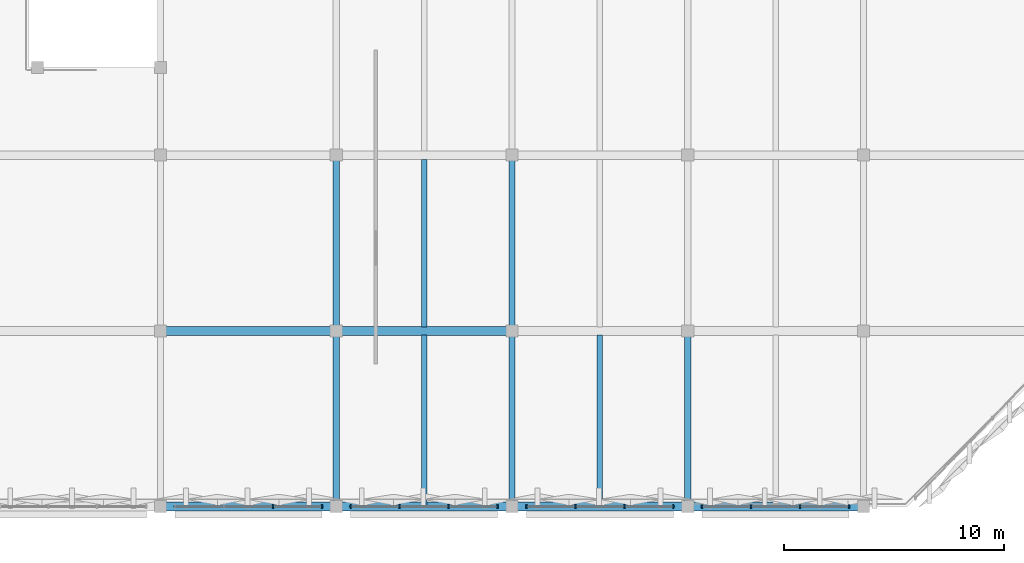
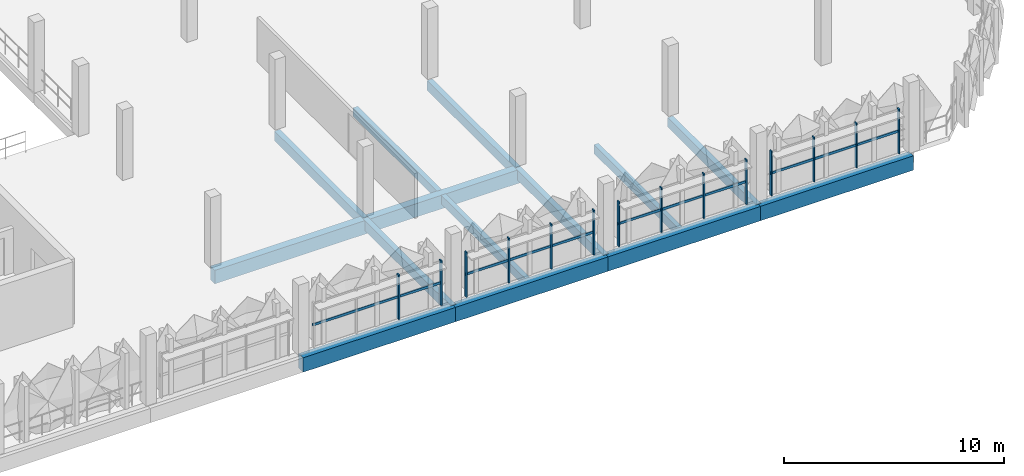
# One storey, part 16 of 83: 18 members, 14 beams, 4 elements without a shape of their own.
"""IFC4 building model written with IfcOpenShell, lengths in metres."""

from ifc_helpers import new_model, si_unit, derived_unit, direction, frame, origin, origin_2d, place, context, subcontext, project, spatial, rectangle, extrude, material, layer, layer_set, material_profile, profile_set, type_object, element, aggregate, save


model = new_model("IFC4")

# Units and contexts
model_context = context("Model", 3, precision=1e-05, world=origin(), true_north=direction((0.0, 1.0)))
body_context = subcontext(model_context, "Body", "Model", "MODEL_VIEW")
ifc_project = project(units=[si_unit("LENGTHUNIT", "METRE"), si_unit("AREAUNIT", "SQUARE_METRE"), si_unit("VOLUMEUNIT", "CUBIC_METRE"), si_unit("PLANEANGLEUNIT", "RADIAN"), si_unit("MASSUNIT", "GRAM", prefix="KILO"), si_unit("THERMODYNAMICTEMPERATUREUNIT", "KELVIN"), derived_unit("THERMALTRANSMITTANCEUNIT", [(si_unit("POWERUNIT", "WATT"), 1), (si_unit("AREAUNIT", "SQUARE_METRE"), -1), (si_unit("THERMODYNAMICTEMPERATUREUNIT", "KELVIN"), -1)])], contexts=[model_context])

# Site, building, storey
site_placement = place(None, origin())
site = spatial("IfcSite", under=ifc_project, at=site_placement, CompositionType="ELEMENT")
building_placement = place(site_placement, origin())
building = spatial("IfcBuilding", under=site, at=building_placement, Name="Haiyu Intermodal Mobility Hub", CompositionType="ELEMENT")
storey_placement = place(building_placement, frame((0.0, 0.0, 13.39990234375)))
storey = spatial("IfcBuildingStorey", under=building, at=storey_placement, Name="L03", CompositionType="ELEMENT", Elevation=13.39990234375)

# Beams
ifc_material_1 = material(Name="Concrete C40", Category="concrete")
ifc_material_profile_1 = material_profile(ifc_material_1, rectangle(XDim=0.39990234375, YDim=0.75, at=origin_2d()), Name="RCB400x750")
ifc_profile_set_1 = profile_set([ifc_material_profile_1], Name="Concrete C40")
beam_type_1 = type_object("IfcBeamType", Name="BM-CB03", PredefinedType="BEAM", material=ifc_profile_set_1)
for number, where, z_axis, x_axis, name in (
    (1, (170.0, 24.0, -0.635009765625), (1.0, 0.0, 0.0), (0.0, 1.0, 0.0), "BM-V5G-L03-009"),
    (2, (178.0, 24.0, -0.635009765625), (1.0, 0.0, 0.0), (0.0, 1.0, 0.0), "BM-V5G-L03-010"),
):
    element("IfcBeam", number, at=place(storey_placement, frame(where, z_axis=z_axis, x_axis=x_axis)), inside=storey, type_object=beam_type_1, Name=name, PredefinedType="BEAM", context=body_context, shape_type="SweptSolid", body=[
        extrude(rectangle(XDim=0.39990234375, YDim=0.75, at=origin_2d()), origin(), (0.0, 0.0, 1.0), 8.0),
    ])
ifc_material_profile_2 = material_profile(ifc_material_1, rectangle(XDim=0.39990234375, YDim=0.800048828125, at=origin_2d()), Name="RCB400x800")
ifc_profile_set_2 = profile_set([ifc_material_profile_2], Name="Concrete C40")
beam_type_2 = type_object("IfcBeamType", Name="BM-CB05", PredefinedType="BEAM", material=ifc_profile_set_2)
for number, where, z_axis, x_axis, name in (
    (3, (170.0, 16.0, -0.659912109375), (1.0, 0.0, 0.0), (0.0, 1.0, 0.0), "BM-V5G-L03-003"),
    (4, (178.0, 16.0, -0.659912109375), (1.0, 0.0, 0.0), (0.0, 1.0, 0.0), "BM-V5G-L03-004"),
    (5, (186.0, 16.0, -0.659912109375), (1.0, 0.0, 0.0), (0.0, 1.0, 0.0), "BM-V5G-L03-005"),
    (6, (194.0, 16.0, -0.659912109375), (1.0, 0.0, 0.0), (0.0, 1.0, 0.0), "BM-V5G-L03-006"),
):
    element("IfcBeam", number, at=place(storey_placement, frame(where, z_axis=z_axis, x_axis=x_axis)), inside=storey, type_object=beam_type_2, Name=name, PredefinedType="BEAM", context=body_context, shape_type="SweptSolid", body=[
        extrude(rectangle(XDim=0.39990234375, YDim=0.800048828125, at=origin_2d()), origin(), (0.0, 0.0, 1.0), 8.0),
    ])
ifc_material_profile_3 = material_profile(ifc_material_1, rectangle(XDim=0.280029296875, YDim=0.5400390625, at=origin_2d()), Name="RCB280x540")
ifc_profile_set_3 = profile_set([ifc_material_profile_3], Name="Concrete C40")
beam_type_3 = type_object("IfcBeamType", Name="BM-CB08", PredefinedType="JOIST", material=ifc_profile_set_3)
for number, where, z_axis, x_axis, name in (
    (7, (178.0, 16.0, -0.52978515625), (0.0, 1.0, 0.0), (-1.0, 0.0, 0.0), "BM-V5T-L03-025"),
    (8, (178.0, 24.0, -0.52978515625), (0.0, 1.0, 0.0), (-1.0, 0.0, 0.0), "BM-V5T-L03-026"),
    (9, (186.0, 16.0, -0.52978515625), (0.0, 1.0, 0.0), (-1.0, 0.0, 0.0), "BM-V5T-L03-033"),
    (10, (186.0, 24.0, -0.52978515625), (0.0, 1.0, 0.0), (-1.0, 0.0, 0.0), "BM-V5T-L03-034"),
    (11, (194.0, 16.0, -0.52978515625), (0.0, 1.0, 0.0), (-1.0, 0.0, 0.0), "BM-V5T-L03-041"),
):
    element("IfcBeam", number, at=place(storey_placement, frame(where, z_axis=z_axis, x_axis=x_axis)), inside=storey, type_object=beam_type_3, Name=name, PredefinedType="JOIST", context=body_context, shape_type="SweptSolid", body=[
        extrude(rectangle(XDim=0.280029296875, YDim=0.5400390625, at=origin_2d()), origin(), (0.0, 0.0, 1.0), 8.0),
    ])
ifc_material_profile_4 = material_profile(ifc_material_1, rectangle(XDim=0.25, YDim=0.47998046875, at=origin_2d()), Name="RCB250x480")
ifc_profile_set_4 = profile_set([ifc_material_profile_4], Name="Concrete C40")
beam_type_4 = type_object("IfcBeamType", Name="BM-CB09", PredefinedType="JOIST", material=ifc_profile_set_4)
beam_1_placement = place(storey_placement, frame((182.0, 16.0, -0.5), z_axis=(0.0, 1.0, 0.0), x_axis=(-1.0, 0.0, 0.0)))
element("IfcBeam", 12, at=beam_1_placement, inside=storey, type_object=beam_type_4, Name="BM-V5J-L03-009", PredefinedType="JOIST", context=body_context, shape_type="SweptSolid", body=[
    extrude(rectangle(XDim=0.25, YDim=0.47998046875, at=origin_2d()), origin(), (0.0, 0.0, 1.0), 7.81494140625),
])
beam_2_placement = place(storey_placement, frame((182.0, 24.18505859375, -0.5), z_axis=(0.0, 1.0, 0.0), x_axis=(-1.0, 0.0, 0.0)))
element("IfcBeam", 13, at=beam_2_placement, inside=storey, type_object=beam_type_4, Name="BM-V5J-L03-010", PredefinedType="JOIST", context=body_context, shape_type="SweptSolid", body=[
    extrude(rectangle(XDim=0.25, YDim=0.47998046875, at=origin_2d()), origin(), (0.0, 0.0, 1.0), 7.6298828125),
])
beam_3_placement = place(storey_placement, frame((190.0, 16.0, -0.5), z_axis=(0.0, 1.0, 0.0), x_axis=(-1.0, 0.0, 0.0)))
element("IfcBeam", 14, at=beam_3_placement, inside=storey, type_object=beam_type_4, Name="BM-V5J-L03-015", PredefinedType="JOIST", context=body_context, shape_type="SweptSolid", body=[
    extrude(rectangle(XDim=0.25, YDim=0.47998046875, at=origin_2d()), origin(), (0.0, 0.0, 1.0), 7.81494140625),
])

# Curtain wall, members
ifc_material_2 = material(Name="Low-e laminated insulating glass", Category="glass")
ifc_layer = layer(ifc_material_2, 0.2099609375)
ifc_layer_set = layer_set([ifc_layer], Name="Low-e laminated insulating glass")
curtain_wall_type = type_object("IfcCurtainWallType", Name="CW-CW04", PredefinedType="NOTDEFINED", material=ifc_layer_set)
curtain_wall_1_placement = place(storey_placement, origin())
curtain_wall_1 = element("IfcCurtainWall", 15, at=curtain_wall_1_placement, inside=storey, type_object=curtain_wall_type, Name="Curtain Wall CW-V5S-L03-119", PredefinedType="NOTDEFINED")
ifc_material_3 = material(Name="Anodised aluminium 6063-T6", Category="aluminium")
ifc_material_profile_5 = material_profile(ifc_material_3, rectangle(XDim=0.06494140625, YDim=0.1650390625, at=origin_2d()), Name="ALU65x165")
ifc_profile_set_5 = profile_set([ifc_material_profile_5], Name="Anodised aluminium 6063-T6")
member_type_1 = type_object("IfcMemberType", Name="CWM-ML02", PredefinedType="MULLION", material=ifc_profile_set_5)
member_1_placement = place(storey_placement, frame((175.113037109375, 16.0, 0.0), z_axis=(0.0, 0.0, 1.0), x_axis=(1.0, 0.0, 0.0)))
member_1 = element("IfcMember", 16, at=member_1_placement, type_object=member_type_1, Name="CW-V5S-L03-119-ML03", PredefinedType="MULLION", context=body_context, shape_type="SweptSolid", body=[
    extrude(rectangle(XDim=0.06494140625, YDim=0.1650390625, at=origin_2d()), origin(), (0.0, 0.0, 1.0), 2.47998046875),
])
member_2_placement = place(storey_placement, frame((177.340087890625, 16.0, 0.0), z_axis=(0.0, 0.0, 1.0), x_axis=(1.0, 0.0, 0.0)))
member_2 = element("IfcMember", 17, at=member_2_placement, type_object=member_type_1, Name="CW-V5S-L03-119-ML04", PredefinedType="MULLION", context=body_context, shape_type="SweptSolid", body=[
    extrude(rectangle(XDim=0.06494140625, YDim=0.1650390625, at=origin_2d()), origin(), (0.0, 0.0, 1.0), 2.47998046875),
])

curtain_wall_2_placement = place(storey_placement, origin())
curtain_wall_2 = element("IfcCurtainWall", 18, at=curtain_wall_2_placement, inside=storey, type_object=curtain_wall_type, Name="Curtain Wall CW-V5S-L03-120", PredefinedType="NOTDEFINED")
member_3_placement = place(storey_placement, frame((178.659912109375, 16.0, 0.0), z_axis=(0.0, 0.0, 1.0), x_axis=(1.0, 0.0, 0.0)))
member_3 = element("IfcMember", 19, at=member_3_placement, type_object=member_type_1, Name="CW-V5S-L03-120-ML01", PredefinedType="MULLION", context=body_context, shape_type="SweptSolid", body=[
    extrude(rectangle(XDim=0.06494140625, YDim=0.1650390625, at=origin_2d()), origin(), (0.0, 0.0, 1.0), 2.47998046875),
])
member_4_placement = place(storey_placement, frame((180.886962890625, 16.0, 0.0), z_axis=(0.0, 0.0, 1.0), x_axis=(1.0, 0.0, 0.0)))
member_4 = element("IfcMember", 20, at=member_4_placement, type_object=member_type_1, Name="CW-V5S-L03-120-ML02", PredefinedType="MULLION", context=body_context, shape_type="SweptSolid", body=[
    extrude(rectangle(XDim=0.06494140625, YDim=0.1650390625, at=origin_2d()), origin(), (0.0, 0.0, 1.0), 2.47998046875),
])
member_5_placement = place(storey_placement, frame((183.113037109375, 16.0, 0.0), z_axis=(0.0, 0.0, 1.0), x_axis=(1.0, 0.0, 0.0)))
member_5 = element("IfcMember", 21, at=member_5_placement, type_object=member_type_1, Name="CW-V5S-L03-120-ML03", PredefinedType="MULLION", context=body_context, shape_type="SweptSolid", body=[
    extrude(rectangle(XDim=0.06494140625, YDim=0.1650390625, at=origin_2d()), origin(), (0.0, 0.0, 1.0), 2.47998046875),
])
member_6_placement = place(storey_placement, frame((185.340087890625, 16.0, 0.0), z_axis=(0.0, 0.0, 1.0), x_axis=(1.0, 0.0, 0.0)))
member_6 = element("IfcMember", 22, at=member_6_placement, type_object=member_type_1, Name="CW-V5S-L03-120-ML04", PredefinedType="MULLION", context=body_context, shape_type="SweptSolid", body=[
    extrude(rectangle(XDim=0.06494140625, YDim=0.1650390625, at=origin_2d()), origin(), (0.0, 0.0, 1.0), 2.47998046875),
])

curtain_wall_3_placement = place(storey_placement, origin())
curtain_wall_3 = element("IfcCurtainWall", 23, at=curtain_wall_3_placement, inside=storey, type_object=curtain_wall_type, Name="Curtain Wall CW-V5S-L03-121", PredefinedType="NOTDEFINED")
member_7_placement = place(storey_placement, frame((186.659912109375, 16.0, 0.0), z_axis=(0.0, 0.0, 1.0), x_axis=(1.0, 0.0, 0.0)))
member_7 = element("IfcMember", 24, at=member_7_placement, type_object=member_type_1, Name="CW-V5S-L03-121-ML01", PredefinedType="MULLION", context=body_context, shape_type="SweptSolid", body=[
    extrude(rectangle(XDim=0.06494140625, YDim=0.1650390625, at=origin_2d()), origin(), (0.0, 0.0, 1.0), 2.47998046875),
])
member_8_placement = place(storey_placement, frame((188.886962890625, 16.0, 0.0), z_axis=(0.0, 0.0, 1.0), x_axis=(1.0, 0.0, 0.0)))
member_8 = element("IfcMember", 25, at=member_8_placement, type_object=member_type_1, Name="CW-V5S-L03-121-ML02", PredefinedType="MULLION", context=body_context, shape_type="SweptSolid", body=[
    extrude(rectangle(XDim=0.06494140625, YDim=0.1650390625, at=origin_2d()), origin(), (0.0, 0.0, 1.0), 2.47998046875),
])
member_9_placement = place(storey_placement, frame((191.113037109375, 16.0, 0.0), z_axis=(0.0, 0.0, 1.0), x_axis=(1.0, 0.0, 0.0)))
member_9 = element("IfcMember", 26, at=member_9_placement, type_object=member_type_1, Name="CW-V5S-L03-121-ML03", PredefinedType="MULLION", context=body_context, shape_type="SweptSolid", body=[
    extrude(rectangle(XDim=0.06494140625, YDim=0.1650390625, at=origin_2d()), origin(), (0.0, 0.0, 1.0), 2.47998046875),
])
member_10_placement = place(storey_placement, frame((193.340087890625, 16.0, 0.0), z_axis=(0.0, 0.0, 1.0), x_axis=(1.0, 0.0, 0.0)))
member_10 = element("IfcMember", 27, at=member_10_placement, type_object=member_type_1, Name="CW-V5S-L03-121-ML04", PredefinedType="MULLION", context=body_context, shape_type="SweptSolid", body=[
    extrude(rectangle(XDim=0.06494140625, YDim=0.1650390625, at=origin_2d()), origin(), (0.0, 0.0, 1.0), 2.47998046875),
])

curtain_wall_4_placement = place(storey_placement, origin())
curtain_wall_4 = element("IfcCurtainWall", 28, at=curtain_wall_4_placement, inside=storey, type_object=curtain_wall_type, Name="Curtain Wall CW-V5S-L03-122", PredefinedType="NOTDEFINED")
member_11_placement = place(storey_placement, frame((194.659912109375, 16.0, 0.0), z_axis=(0.0, 0.0, 1.0), x_axis=(1.0, 0.0, 0.0)))
member_11 = element("IfcMember", 29, at=member_11_placement, type_object=member_type_1, Name="CW-V5S-L03-122-ML01", PredefinedType="MULLION", context=body_context, shape_type="SweptSolid", body=[
    extrude(rectangle(XDim=0.06494140625, YDim=0.1650390625, at=origin_2d()), origin(), (0.0, 0.0, 1.0), 2.47998046875),
])
member_12_placement = place(storey_placement, frame((196.886962890625, 16.0, 0.0), z_axis=(0.0, 0.0, 1.0), x_axis=(1.0, 0.0, 0.0)))
member_12 = element("IfcMember", 30, at=member_12_placement, type_object=member_type_1, Name="CW-V5S-L03-122-ML02", PredefinedType="MULLION", context=body_context, shape_type="SweptSolid", body=[
    extrude(rectangle(XDim=0.06494140625, YDim=0.1650390625, at=origin_2d()), origin(), (0.0, 0.0, 1.0), 2.47998046875),
])
member_13_placement = place(storey_placement, frame((199.113037109375, 16.0, 0.0), z_axis=(0.0, 0.0, 1.0), x_axis=(1.0, 0.0, 0.0)))
member_13 = element("IfcMember", 31, at=member_13_placement, type_object=member_type_1, Name="CW-V5S-L03-122-ML03", PredefinedType="MULLION", context=body_context, shape_type="SweptSolid", body=[
    extrude(rectangle(XDim=0.06494140625, YDim=0.1650390625, at=origin_2d()), origin(), (0.0, 0.0, 1.0), 2.47998046875),
])
member_14_placement = place(storey_placement, frame((201.340087890625, 16.0, 0.0), z_axis=(0.0, 0.0, 1.0), x_axis=(1.0, 0.0, 0.0)))
member_14 = element("IfcMember", 32, at=member_14_placement, type_object=member_type_1, Name="CW-V5S-L03-122-ML04", PredefinedType="MULLION", context=body_context, shape_type="SweptSolid", body=[
    extrude(rectangle(XDim=0.06494140625, YDim=0.1650390625, at=origin_2d()), origin(), (0.0, 0.0, 1.0), 2.47998046875),
])

# Member
ifc_material_profile_6 = material_profile(ifc_material_3, rectangle(XDim=0.06494140625, YDim=0.135009765625, at=origin_2d()), Name="ALU65x135")
ifc_profile_set_6 = profile_set([ifc_material_profile_6], Name="Anodised aluminium 6063-T6")
member_type_2 = type_object("IfcMemberType", Name="CWM-TR02", PredefinedType="USERDEFINED", material=ifc_profile_set_6)
member_15_placement = place(storey_placement, frame((170.6201171875, 16.0, 1.239990234375), z_axis=(1.0, 0.0, 0.0), x_axis=(0.0, 1.0, 0.0)))
member_15 = element("IfcMember", 33, at=member_15_placement, type_object=member_type_2, Name="CW-V5S-L03-119-TR01", ObjectType="TRANSOM", PredefinedType="USERDEFINED", context=body_context, shape_type="SweptSolid", body=[
    extrude(rectangle(XDim=0.06494140625, YDim=0.135009765625, at=origin_2d()), origin(), (0.0, 0.0, 1.0), 6.759765625),
])

aggregate(curtain_wall_1, [member_1, member_2, member_15])

member_16_placement = place(storey_placement, frame((178.6201171875, 16.0, 1.239990234375), z_axis=(1.0, 0.0, 0.0), x_axis=(0.0, 1.0, 0.0)))
member_16 = element("IfcMember", 34, at=member_16_placement, type_object=member_type_2, Name="CW-V5S-L03-120-TR01", ObjectType="TRANSOM", PredefinedType="USERDEFINED", context=body_context, shape_type="SweptSolid", body=[
    extrude(rectangle(XDim=0.06494140625, YDim=0.135009765625, at=origin_2d()), origin(), (0.0, 0.0, 1.0), 6.759765625),
])

aggregate(curtain_wall_2, [member_3, member_4, member_5, member_6, member_16])

member_17_placement = place(storey_placement, frame((186.6201171875, 16.0, 1.239990234375), z_axis=(1.0, 0.0, 0.0), x_axis=(0.0, 1.0, 0.0)))
member_17 = element("IfcMember", 35, at=member_17_placement, type_object=member_type_2, Name="CW-V5S-L03-121-TR01", ObjectType="TRANSOM", PredefinedType="USERDEFINED", context=body_context, shape_type="SweptSolid", body=[
    extrude(rectangle(XDim=0.06494140625, YDim=0.135009765625, at=origin_2d()), origin(), (0.0, 0.0, 1.0), 6.759765625),
])

aggregate(curtain_wall_3, [member_7, member_8, member_9, member_10, member_17])

member_18_placement = place(storey_placement, frame((194.6201171875, 16.0, 1.239990234375), z_axis=(1.0, 0.0, 0.0), x_axis=(0.0, 1.0, 0.0)))
member_18 = element("IfcMember", 36, at=member_18_placement, type_object=member_type_2, Name="CW-V5S-L03-122-TR01", ObjectType="TRANSOM", PredefinedType="USERDEFINED", context=body_context, shape_type="SweptSolid", body=[
    extrude(rectangle(XDim=0.06494140625, YDim=0.135009765625, at=origin_2d()), origin(), (0.0, 0.0, 1.0), 6.759765625),
])

aggregate(curtain_wall_4, [member_11, member_12, member_13, member_14, member_18])

save(model, "model.ifc")
